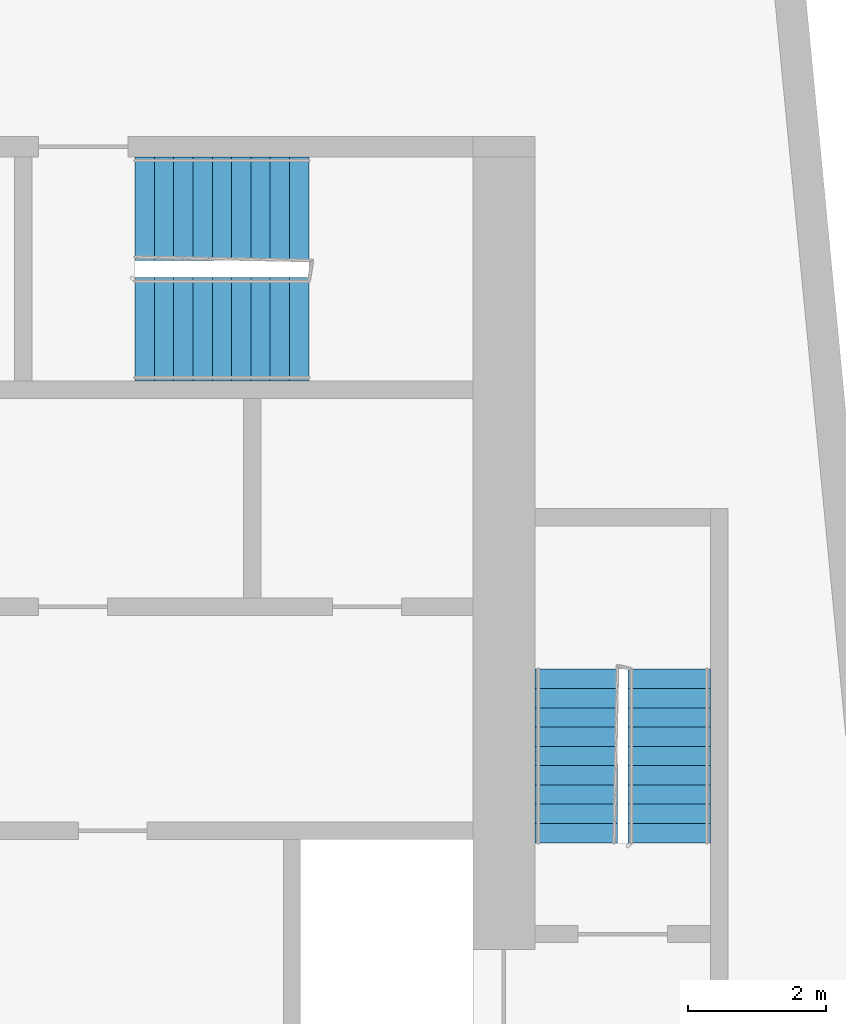
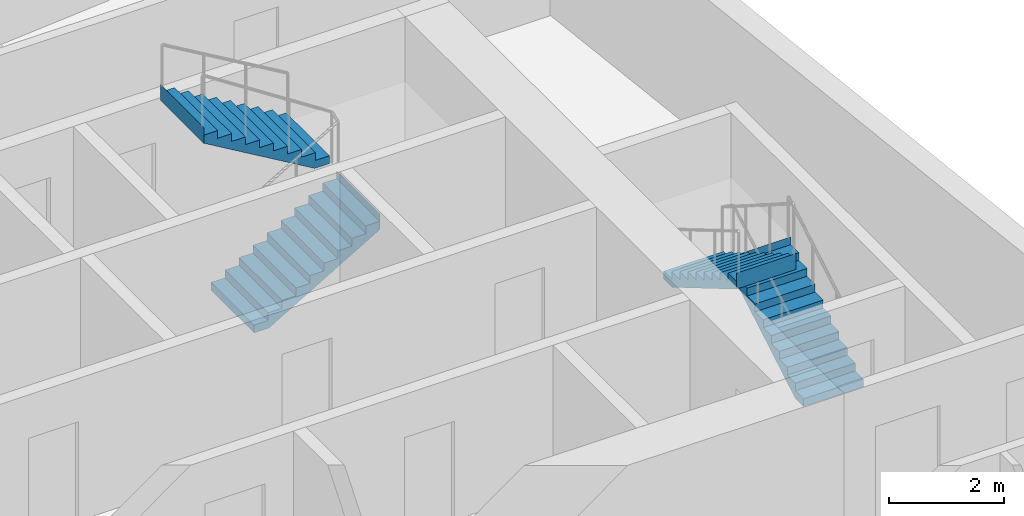
# One storey, part 10 of 11: 4 stair flights, 2 elements without a shape of their own.
"""IFC4 building model written with IfcOpenShell, lengths in metres."""

from ifc_helpers import new_model, si_unit, direction, frame, origin, place, context, subcontext, project, spatial, faceted_brep, material, type_object, element, aggregate, save


model = new_model("IFC4")

# Units and contexts
model_context = context("Model", 3, precision=1e-05, world=origin(), true_north=direction((0.0, 1.0)))
body_context = subcontext(model_context, "Body", "Model", "MODEL_VIEW")
ifc_project = project(units=[si_unit("LENGTHUNIT", "METRE"), si_unit("AREAUNIT", "SQUARE_METRE"), si_unit("VOLUMEUNIT", "CUBIC_METRE"), si_unit("PLANEANGLEUNIT", "RADIAN"), si_unit("MASSUNIT", "GRAM", prefix="KILO")], contexts=[model_context])

# Site, building, storey
site_placement = place(None, origin())
site = spatial("IfcSite", under=ifc_project, at=site_placement, CompositionType="ELEMENT")
building_placement = place(site_placement, origin())
building = spatial("IfcBuilding", under=site, at=building_placement, Name="Kajstack Hotel Tower", CompositionType="ELEMENT")
storey_placement = place(building_placement, frame((0.0, 0.0, 291.60009765625)))
storey = spatial("IfcBuildingStorey", under=building, at=storey_placement, Name="L73", CompositionType="ELEMENT", Elevation=291.60009765625)

# Stair, stair flights
ifc_material = material(Name="Concrete C40/50", Category="concrete")
stair_type_1 = type_object("IfcStairType", Name="Exit stair 1200", PredefinedType="HALF_TURN_STAIR", material=ifc_material)
stair_1_placement = place(storey_placement, origin())
stair_1 = element("IfcStair", 1, at=stair_1_placement, inside=storey, type_object=stair_type_1, Name="L73 stair E1", PredefinedType="HALF_TURN_STAIR")
stair_flight_type_1 = type_object("IfcStairFlightType", Name="Exit stair flight 1200", PredefinedType="STRAIGHT", material=ifc_material)
stair_flight_1_placement = place(storey_placement, frame((33.449951171875, 5.25, 0.0), z_axis=(0.0, 0.0, 1.0), x_axis=(0.0, 1.0, 0.0)))
stair_flight_1 = element("IfcStairFlight", 2, at=stair_flight_1_placement, type_object=stair_flight_type_1, Name="E1 flight 1", NumberOfRisers=10, NumberOfTreads=9, PredefinedType="STRAIGHT", RiserHeight=0.165, TreadLength=0.28, context=body_context, shape_type="Brep", body=[
    faceted_brep([(0.295654296875, -0.60009765625, 0.0), (2.5205078125, -0.60009765625, 1.31103515625), (2.5205078125, -0.60009765625, 1.64990234375), (2.52001953125, -0.60009765625, 1.64990234375), (2.52001953125, -0.60009765625, 1.485107421875), (2.239990234375, -0.60009765625, 1.485107421875), (2.239990234375, -0.60009765625, 1.320068359375), (1.9599609375, -0.60009765625, 1.320068359375), (1.9599609375, -0.60009765625, 1.155029296875), (1.679931640625, -0.60009765625, 1.155029296875), (1.679931640625, -0.60009765625, 0.989990234375), (1.39990234375, -0.60009765625, 0.989990234375), (1.39990234375, -0.60009765625, 0.824951171875), (1.1201171875, -0.60009765625, 0.824951171875), (1.1201171875, -0.60009765625, 0.659912109375), (0.840087890625, -0.60009765625, 0.659912109375), (0.840087890625, -0.60009765625, 0.4951171875), (0.56005859375, -0.60009765625, 0.4951171875), (0.56005859375, -0.60009765625, 0.330078125), (0.280029296875, -0.60009765625, 0.330078125), (0.280029296875, -0.60009765625, 0.1650390625), (-0.00048828125, -0.60009765625, 0.1650390625), (-0.00048828125, -0.60009765625, 0.0), (-0.00048828125, 0.60009765625, 0.0), (-0.00048828125, 0.60009765625, 0.1650390625), (0.280029296875, 0.60009765625, 0.1650390625), (0.280029296875, 0.60009765625, 0.330078125), (0.56005859375, 0.60009765625, 0.330078125), (0.56005859375, 0.60009765625, 0.4951171875), (0.840087890625, 0.60009765625, 0.4951171875), (0.840087890625, 0.60009765625, 0.659912109375), (1.1201171875, 0.60009765625, 0.659912109375), (1.1201171875, 0.60009765625, 0.824951171875), (1.39990234375, 0.60009765625, 0.824951171875), (1.39990234375, 0.60009765625, 0.989990234375), (1.679931640625, 0.60009765625, 0.989990234375), (1.679931640625, 0.60009765625, 1.155029296875), (1.9599609375, 0.60009765625, 1.155029296875), (1.9599609375, 0.60009765625, 1.320068359375), (2.239990234375, 0.60009765625, 1.320068359375), (2.239990234375, 0.60009765625, 1.485107421875), (2.52001953125, 0.60009765625, 1.485107421875), (2.52001953125, 0.60009765625, 1.64990234375), (2.5205078125, 0.60009765625, 1.64990234375), (2.5205078125, 0.60009765625, 1.31103515625), (0.295654296875, 0.60009765625, 0.0), (-0.00048828125, -0.300048828125, 0.1650390625), (-0.00048828125, 0.0, 0.1650390625), (-0.00048828125, 0.300048828125, 0.1650390625), (-0.00048828125, 0.300048828125, 0.0), (-0.00048828125, 0.0, 0.0), (-0.00048828125, -0.300048828125, 0.0), (0.280029296875, -0.300048828125, 0.1650390625), (0.280029296875, 0.0, 0.1650390625), (0.280029296875, 0.300048828125, 0.1650390625), (0.280029296875, -0.300048828125, 0.330078125), (0.280029296875, 0.0, 0.330078125), (0.280029296875, 0.300048828125, 0.330078125), (0.56005859375, -0.300048828125, 0.330078125), (0.56005859375, 0.0, 0.330078125), (0.56005859375, 0.300048828125, 0.330078125), (0.56005859375, -0.300048828125, 0.4951171875), (0.56005859375, 0.0, 0.4951171875), (0.56005859375, 0.300048828125, 0.4951171875), (0.840087890625, -0.300048828125, 0.4951171875), (0.840087890625, 0.0, 0.4951171875), (0.840087890625, 0.300048828125, 0.4951171875), (0.840087890625, -0.300048828125, 0.659912109375), (0.840087890625, 0.0, 0.659912109375), (0.840087890625, 0.300048828125, 0.659912109375), (1.1201171875, -0.300048828125, 0.659912109375), (1.1201171875, 0.0, 0.659912109375), (1.1201171875, 0.300048828125, 0.659912109375), (1.1201171875, -0.300048828125, 0.824951171875), (1.1201171875, 0.0, 0.824951171875), (1.1201171875, 0.300048828125, 0.824951171875), (1.39990234375, -0.300048828125, 0.824951171875), (1.39990234375, 0.0, 0.824951171875), (1.39990234375, 0.300048828125, 0.824951171875), (1.39990234375, -0.300048828125, 0.989990234375), (1.39990234375, 0.0, 0.989990234375), (1.39990234375, 0.300048828125, 0.989990234375), (1.679931640625, -0.300048828125, 0.989990234375), (1.679931640625, 0.0, 0.989990234375), (1.679931640625, 0.300048828125, 0.989990234375), (1.679931640625, -0.300048828125, 1.155029296875), (1.679931640625, 0.0, 1.155029296875), (1.679931640625, 0.300048828125, 1.155029296875), (1.9599609375, -0.300048828125, 1.155029296875), (1.9599609375, 0.0, 1.155029296875), (1.9599609375, 0.300048828125, 1.155029296875), (1.9599609375, -0.300048828125, 1.320068359375), (1.9599609375, 0.0, 1.320068359375), (1.9599609375, 0.300048828125, 1.320068359375), (2.239990234375, -0.300048828125, 1.320068359375), (2.239990234375, 0.0, 1.320068359375), (2.239990234375, 0.300048828125, 1.320068359375), (2.239990234375, -0.300048828125, 1.485107421875), (2.239990234375, 0.0, 1.485107421875), (2.239990234375, 0.300048828125, 1.485107421875), (2.52001953125, -0.300048828125, 1.485107421875), (2.52001953125, 0.0, 1.485107421875), (2.52001953125, 0.300048828125, 1.485107421875), (2.52001953125, -0.300048828125, 1.64990234375), (2.52001953125, 0.0, 1.64990234375), (2.52001953125, 0.300048828125, 1.64990234375), (2.5205078125, -0.300048828125, 1.64990234375), (2.5205078125, 0.0, 1.64990234375), (2.5205078125, 0.300048828125, 1.64990234375), (2.5205078125, -0.300048828125, 1.31103515625), (2.5205078125, 0.0, 1.31103515625), (2.5205078125, 0.300048828125, 1.31103515625), (0.295654296875, -0.300048828125, 0.0), (0.295654296875, 0.0, 0.0), (0.295654296875, 0.300048828125, 0.0)], [[[0, 1, 2, 3, 4, 5, 6, 7, 8, 9, 10, 11, 12, 13, 14, 15, 16, 17, 18, 19, 20, 21, 22]], [[23, 24, 25, 26, 27, 28, 29, 30, 31, 32, 33, 34, 35, 36, 37, 38, 39, 40, 41, 42, 43, 44, 45]], [[21, 46, 47, 48, 24, 23, 49, 50, 51, 22]], [[20, 52, 53, 54, 25, 24, 48, 47, 46, 21]], [[19, 55, 56, 57, 26, 25, 54, 53, 52, 20]], [[18, 58, 59, 60, 27, 26, 57, 56, 55, 19]], [[17, 61, 62, 63, 28, 27, 60, 59, 58, 18]], [[16, 64, 65, 66, 29, 28, 63, 62, 61, 17]], [[15, 67, 68, 69, 30, 29, 66, 65, 64, 16]], [[14, 70, 71, 72, 31, 30, 69, 68, 67, 15]], [[13, 73, 74, 75, 32, 31, 72, 71, 70, 14]], [[12, 76, 77, 78, 33, 32, 75, 74, 73, 13]], [[11, 79, 80, 81, 34, 33, 78, 77, 76, 12]], [[10, 82, 83, 84, 35, 34, 81, 80, 79, 11]], [[9, 85, 86, 87, 36, 35, 84, 83, 82, 10]], [[8, 88, 89, 90, 37, 36, 87, 86, 85, 9]], [[7, 91, 92, 93, 38, 37, 90, 89, 88, 8]], [[6, 94, 95, 96, 39, 38, 93, 92, 91, 7]], [[5, 97, 98, 99, 40, 39, 96, 95, 94, 6]], [[4, 100, 101, 102, 41, 40, 99, 98, 97, 5]], [[3, 103, 104, 105, 42, 41, 102, 101, 100, 4]], [[2, 106, 107, 108, 43, 42, 105, 104, 103, 3]], [[1, 109, 110, 111, 44, 43, 108, 107, 106, 2]], [[0, 112, 113, 114, 45, 44, 111, 110, 109, 1]], [[22, 51, 50, 49, 23, 45, 114, 113, 112, 0]]]),
])
stair_flight_2_placement = place(storey_placement, frame((32.10009765625, 7.77001953125, 1.64990234375), z_axis=(0.0, 0.0, 1.0), x_axis=(0.0, -1.0, 0.0)))
stair_flight_2 = element("IfcStairFlight", 3, at=stair_flight_2_placement, type_object=stair_flight_type_1, Name="E1 flight 2", NumberOfRisers=10, NumberOfTreads=9, PredefinedType="STRAIGHT", RiserHeight=0.165, TreadLength=0.28, context=body_context, shape_type="Brep", body=[
    faceted_brep([(0.295654296875, -0.60009765625, 0.0), (2.5205078125, -0.60009765625, 1.31103515625), (2.5205078125, -0.60009765625, 1.64990234375), (2.52001953125, -0.60009765625, 1.64990234375), (2.52001953125, -0.60009765625, 1.485107421875), (2.239990234375, -0.60009765625, 1.485107421875), (2.239990234375, -0.60009765625, 1.320068359375), (1.9599609375, -0.60009765625, 1.320068359375), (1.9599609375, -0.60009765625, 1.155029296875), (1.679931640625, -0.60009765625, 1.155029296875), (1.679931640625, -0.60009765625, 0.989990234375), (1.39990234375, -0.60009765625, 0.989990234375), (1.39990234375, -0.60009765625, 0.824951171875), (1.1201171875, -0.60009765625, 0.824951171875), (1.1201171875, -0.60009765625, 0.659912109375), (0.840087890625, -0.60009765625, 0.659912109375), (0.840087890625, -0.60009765625, 0.4951171875), (0.56005859375, -0.60009765625, 0.4951171875), (0.56005859375, -0.60009765625, 0.330078125), (0.280029296875, -0.60009765625, 0.330078125), (0.280029296875, -0.60009765625, 0.1650390625), (-0.00048828125, -0.60009765625, 0.1650390625), (-0.00048828125, -0.60009765625, 0.0), (-0.00048828125, 0.60009765625, 0.0), (-0.00048828125, 0.60009765625, 0.1650390625), (0.280029296875, 0.60009765625, 0.1650390625), (0.280029296875, 0.60009765625, 0.330078125), (0.56005859375, 0.60009765625, 0.330078125), (0.56005859375, 0.60009765625, 0.4951171875), (0.840087890625, 0.60009765625, 0.4951171875), (0.840087890625, 0.60009765625, 0.659912109375), (1.1201171875, 0.60009765625, 0.659912109375), (1.1201171875, 0.60009765625, 0.824951171875), (1.39990234375, 0.60009765625, 0.824951171875), (1.39990234375, 0.60009765625, 0.989990234375), (1.679931640625, 0.60009765625, 0.989990234375), (1.679931640625, 0.60009765625, 1.155029296875), (1.9599609375, 0.60009765625, 1.155029296875), (1.9599609375, 0.60009765625, 1.320068359375), (2.239990234375, 0.60009765625, 1.320068359375), (2.239990234375, 0.60009765625, 1.485107421875), (2.52001953125, 0.60009765625, 1.485107421875), (2.52001953125, 0.60009765625, 1.64990234375), (2.5205078125, 0.60009765625, 1.64990234375), (2.5205078125, 0.60009765625, 1.31103515625), (0.295654296875, 0.60009765625, 0.0), (-0.00048828125, -0.300048828125, 0.1650390625), (-0.00048828125, 0.0, 0.1650390625), (-0.00048828125, 0.300048828125, 0.1650390625), (-0.00048828125, 0.300048828125, 0.0), (-0.00048828125, 0.0, 0.0), (-0.00048828125, -0.300048828125, 0.0), (0.280029296875, -0.300048828125, 0.1650390625), (0.280029296875, 0.0, 0.1650390625), (0.280029296875, 0.300048828125, 0.1650390625), (0.280029296875, -0.300048828125, 0.330078125), (0.280029296875, 0.0, 0.330078125), (0.280029296875, 0.300048828125, 0.330078125), (0.56005859375, -0.300048828125, 0.330078125), (0.56005859375, 0.0, 0.330078125), (0.56005859375, 0.300048828125, 0.330078125), (0.56005859375, -0.300048828125, 0.4951171875), (0.56005859375, 0.0, 0.4951171875), (0.56005859375, 0.300048828125, 0.4951171875), (0.840087890625, -0.300048828125, 0.4951171875), (0.840087890625, 0.0, 0.4951171875), (0.840087890625, 0.300048828125, 0.4951171875), (0.840087890625, -0.300048828125, 0.659912109375), (0.840087890625, 0.0, 0.659912109375), (0.840087890625, 0.300048828125, 0.659912109375), (1.1201171875, -0.300048828125, 0.659912109375), (1.1201171875, 0.0, 0.659912109375), (1.1201171875, 0.300048828125, 0.659912109375), (1.1201171875, -0.300048828125, 0.824951171875), (1.1201171875, 0.0, 0.824951171875), (1.1201171875, 0.300048828125, 0.824951171875), (1.39990234375, -0.300048828125, 0.824951171875), (1.39990234375, 0.0, 0.824951171875), (1.39990234375, 0.300048828125, 0.824951171875), (1.39990234375, -0.300048828125, 0.989990234375), (1.39990234375, 0.0, 0.989990234375), (1.39990234375, 0.300048828125, 0.989990234375), (1.679931640625, -0.300048828125, 0.989990234375), (1.679931640625, 0.0, 0.989990234375), (1.679931640625, 0.300048828125, 0.989990234375), (1.679931640625, -0.300048828125, 1.155029296875), (1.679931640625, 0.0, 1.155029296875), (1.679931640625, 0.300048828125, 1.155029296875), (1.9599609375, -0.300048828125, 1.155029296875), (1.9599609375, 0.0, 1.155029296875), (1.9599609375, 0.300048828125, 1.155029296875), (1.9599609375, -0.300048828125, 1.320068359375), (1.9599609375, 0.0, 1.320068359375), (1.9599609375, 0.300048828125, 1.320068359375), (2.239990234375, -0.300048828125, 1.320068359375), (2.239990234375, 0.0, 1.320068359375), (2.239990234375, 0.300048828125, 1.320068359375), (2.239990234375, -0.300048828125, 1.485107421875), (2.239990234375, 0.0, 1.485107421875), (2.239990234375, 0.300048828125, 1.485107421875), (2.52001953125, -0.300048828125, 1.485107421875), (2.52001953125, 0.0, 1.485107421875), (2.52001953125, 0.300048828125, 1.485107421875), (2.52001953125, -0.300048828125, 1.64990234375), (2.52001953125, 0.0, 1.64990234375), (2.52001953125, 0.300048828125, 1.64990234375), (2.5205078125, -0.300048828125, 1.64990234375), (2.5205078125, 0.0, 1.64990234375), (2.5205078125, 0.300048828125, 1.64990234375), (2.5205078125, -0.300048828125, 1.31103515625), (2.5205078125, 0.0, 1.31103515625), (2.5205078125, 0.300048828125, 1.31103515625), (0.295654296875, -0.300048828125, 0.0), (0.295654296875, 0.0, 0.0), (0.295654296875, 0.300048828125, 0.0)], [[[0, 1, 2, 3, 4, 5, 6, 7, 8, 9, 10, 11, 12, 13, 14, 15, 16, 17, 18, 19, 20, 21, 22]], [[23, 24, 25, 26, 27, 28, 29, 30, 31, 32, 33, 34, 35, 36, 37, 38, 39, 40, 41, 42, 43, 44, 45]], [[21, 46, 47, 48, 24, 23, 49, 50, 51, 22]], [[20, 52, 53, 54, 25, 24, 48, 47, 46, 21]], [[19, 55, 56, 57, 26, 25, 54, 53, 52, 20]], [[18, 58, 59, 60, 27, 26, 57, 56, 55, 19]], [[17, 61, 62, 63, 28, 27, 60, 59, 58, 18]], [[16, 64, 65, 66, 29, 28, 63, 62, 61, 17]], [[15, 67, 68, 69, 30, 29, 66, 65, 64, 16]], [[14, 70, 71, 72, 31, 30, 69, 68, 67, 15]], [[13, 73, 74, 75, 32, 31, 72, 71, 70, 14]], [[12, 76, 77, 78, 33, 32, 75, 74, 73, 13]], [[11, 79, 80, 81, 34, 33, 78, 77, 76, 12]], [[10, 82, 83, 84, 35, 34, 81, 80, 79, 11]], [[9, 85, 86, 87, 36, 35, 84, 83, 82, 10]], [[8, 88, 89, 90, 37, 36, 87, 86, 85, 9]], [[7, 91, 92, 93, 38, 37, 90, 89, 88, 8]], [[6, 94, 95, 96, 39, 38, 93, 92, 91, 7]], [[5, 97, 98, 99, 40, 39, 96, 95, 94, 6]], [[4, 100, 101, 102, 41, 40, 99, 98, 97, 5]], [[3, 103, 104, 105, 42, 41, 102, 101, 100, 4]], [[2, 106, 107, 108, 43, 42, 105, 104, 103, 3]], [[1, 109, 110, 111, 44, 43, 108, 107, 106, 2]], [[0, 112, 113, 114, 45, 44, 111, 110, 109, 1]], [[22, 51, 50, 49, 23, 45, 114, 113, 112, 0]]]),
])
aggregate(stair_1, [stair_flight_1, stair_flight_2])

stair_type_2 = type_object("IfcStairType", Name="Exit stair 1500", PredefinedType="HALF_TURN_STAIR", material=ifc_material)
stair_2_placement = place(storey_placement, origin())
stair_2 = element("IfcStair", 4, at=stair_2_placement, inside=storey, type_object=stair_type_2, Name="L73 stair E3", PredefinedType="HALF_TURN_STAIR")
stair_flight_type_2 = type_object("IfcStairFlightType", Name="Exit stair flight 1500", PredefinedType="STRAIGHT", material=ifc_material)
stair_flight_3_placement = place(storey_placement, frame((25.699951171875, 12.699951171875, 0.0), z_axis=(0.0, 0.0, 1.0), x_axis=(1.0, 0.0, 0.0)))
stair_flight_3 = element("IfcStairFlight", 5, at=stair_flight_3_placement, type_object=stair_flight_type_2, Name="E3 flight 1", NumberOfRisers=10, NumberOfTreads=9, PredefinedType="STRAIGHT", RiserHeight=0.165, TreadLength=0.28, context=body_context, shape_type="Brep", body=[
    faceted_brep([(0.295654296875, -0.75, 0.0), (2.5205078125, -0.75, 1.31103515625), (2.5205078125, -0.75, 1.64990234375), (2.52001953125, -0.75, 1.64990234375), (2.52001953125, -0.75, 1.485107421875), (2.239990234375, -0.75, 1.485107421875), (2.239990234375, -0.75, 1.320068359375), (1.9599609375, -0.75, 1.320068359375), (1.9599609375, -0.75, 1.155029296875), (1.679931640625, -0.75, 1.155029296875), (1.679931640625, -0.75, 0.989990234375), (1.39990234375, -0.75, 0.989990234375), (1.39990234375, -0.75, 0.824951171875), (1.1201171875, -0.75, 0.824951171875), (1.1201171875, -0.75, 0.659912109375), (0.840087890625, -0.75, 0.659912109375), (0.840087890625, -0.75, 0.4951171875), (0.56005859375, -0.75, 0.4951171875), (0.56005859375, -0.75, 0.330078125), (0.280029296875, -0.75, 0.330078125), (0.280029296875, -0.75, 0.1650390625), (-0.00048828125, -0.75, 0.1650390625), (-0.00048828125, -0.75, 0.0), (-0.00048828125, 0.75, 0.0), (-0.00048828125, 0.75, 0.1650390625), (0.280029296875, 0.75, 0.1650390625), (0.280029296875, 0.75, 0.330078125), (0.56005859375, 0.75, 0.330078125), (0.56005859375, 0.75, 0.4951171875), (0.840087890625, 0.75, 0.4951171875), (0.840087890625, 0.75, 0.659912109375), (1.1201171875, 0.75, 0.659912109375), (1.1201171875, 0.75, 0.824951171875), (1.39990234375, 0.75, 0.824951171875), (1.39990234375, 0.75, 0.989990234375), (1.679931640625, 0.75, 0.989990234375), (1.679931640625, 0.75, 1.155029296875), (1.9599609375, 0.75, 1.155029296875), (1.9599609375, 0.75, 1.320068359375), (2.239990234375, 0.75, 1.320068359375), (2.239990234375, 0.75, 1.485107421875), (2.52001953125, 0.75, 1.485107421875), (2.52001953125, 0.75, 1.64990234375), (2.5205078125, 0.75, 1.64990234375), (2.5205078125, 0.75, 1.31103515625), (0.295654296875, 0.75, 0.0), (-0.00048828125, -0.375, 0.1650390625), (-0.00048828125, 0.0, 0.1650390625), (-0.00048828125, 0.375, 0.1650390625), (-0.00048828125, 0.375, 0.0), (-0.00048828125, 0.0, 0.0), (-0.00048828125, -0.375, 0.0), (0.280029296875, -0.375, 0.1650390625), (0.280029296875, 0.0, 0.1650390625), (0.280029296875, 0.375, 0.1650390625), (0.280029296875, -0.375, 0.330078125), (0.280029296875, 0.0, 0.330078125), (0.280029296875, 0.375, 0.330078125), (0.56005859375, -0.375, 0.330078125), (0.56005859375, 0.0, 0.330078125), (0.56005859375, 0.375, 0.330078125), (0.56005859375, -0.375, 0.4951171875), (0.56005859375, 0.0, 0.4951171875), (0.56005859375, 0.375, 0.4951171875), (0.840087890625, -0.375, 0.4951171875), (0.840087890625, 0.0, 0.4951171875), (0.840087890625, 0.375, 0.4951171875), (0.840087890625, -0.375, 0.659912109375), (0.840087890625, 0.0, 0.659912109375), (0.840087890625, 0.375, 0.659912109375), (1.1201171875, -0.375, 0.659912109375), (1.1201171875, 0.0, 0.659912109375), (1.1201171875, 0.375, 0.659912109375), (1.1201171875, -0.375, 0.824951171875), (1.1201171875, 0.0, 0.824951171875), (1.1201171875, 0.375, 0.824951171875), (1.39990234375, -0.375, 0.824951171875), (1.39990234375, 0.0, 0.824951171875), (1.39990234375, 0.375, 0.824951171875), (1.39990234375, -0.375, 0.989990234375), (1.39990234375, 0.0, 0.989990234375), (1.39990234375, 0.375, 0.989990234375), (1.679931640625, -0.375, 0.989990234375), (1.679931640625, 0.0, 0.989990234375), (1.679931640625, 0.375, 0.989990234375), (1.679931640625, -0.375, 1.155029296875), (1.679931640625, 0.0, 1.155029296875), (1.679931640625, 0.375, 1.155029296875), (1.9599609375, -0.375, 1.155029296875), (1.9599609375, 0.0, 1.155029296875), (1.9599609375, 0.375, 1.155029296875), (1.9599609375, -0.375, 1.320068359375), (1.9599609375, 0.0, 1.320068359375), (1.9599609375, 0.375, 1.320068359375), (2.239990234375, -0.375, 1.320068359375), (2.239990234375, 0.0, 1.320068359375), (2.239990234375, 0.375, 1.320068359375), (2.239990234375, -0.375, 1.485107421875), (2.239990234375, 0.0, 1.485107421875), (2.239990234375, 0.375, 1.485107421875), (2.52001953125, -0.375, 1.485107421875), (2.52001953125, 0.0, 1.485107421875), (2.52001953125, 0.375, 1.485107421875), (2.52001953125, -0.375, 1.64990234375), (2.52001953125, 0.0, 1.64990234375), (2.52001953125, 0.375, 1.64990234375), (2.5205078125, -0.375, 1.64990234375), (2.5205078125, 0.0, 1.64990234375), (2.5205078125, 0.375, 1.64990234375), (2.5205078125, -0.375, 1.31103515625), (2.5205078125, 0.0, 1.31103515625), (2.5205078125, 0.375, 1.31103515625), (0.295654296875, -0.375, 0.0), (0.295654296875, 0.0, 0.0), (0.295654296875, 0.375, 0.0)], [[[0, 1, 2, 3, 4, 5, 6, 7, 8, 9, 10, 11, 12, 13, 14, 15, 16, 17, 18, 19, 20, 21, 22]], [[23, 24, 25, 26, 27, 28, 29, 30, 31, 32, 33, 34, 35, 36, 37, 38, 39, 40, 41, 42, 43, 44, 45]], [[21, 46, 47, 48, 24, 23, 49, 50, 51, 22]], [[20, 52, 53, 54, 25, 24, 48, 47, 46, 21]], [[19, 55, 56, 57, 26, 25, 54, 53, 52, 20]], [[18, 58, 59, 60, 27, 26, 57, 56, 55, 19]], [[17, 61, 62, 63, 28, 27, 60, 59, 58, 18]], [[16, 64, 65, 66, 29, 28, 63, 62, 61, 17]], [[15, 67, 68, 69, 30, 29, 66, 65, 64, 16]], [[14, 70, 71, 72, 31, 30, 69, 68, 67, 15]], [[13, 73, 74, 75, 32, 31, 72, 71, 70, 14]], [[12, 76, 77, 78, 33, 32, 75, 74, 73, 13]], [[11, 79, 80, 81, 34, 33, 78, 77, 76, 12]], [[10, 82, 83, 84, 35, 34, 81, 80, 79, 11]], [[9, 85, 86, 87, 36, 35, 84, 83, 82, 10]], [[8, 88, 89, 90, 37, 36, 87, 86, 85, 9]], [[7, 91, 92, 93, 38, 37, 90, 89, 88, 8]], [[6, 94, 95, 96, 39, 38, 93, 92, 91, 7]], [[5, 97, 98, 99, 40, 39, 96, 95, 94, 6]], [[4, 100, 101, 102, 41, 40, 99, 98, 97, 5]], [[3, 103, 104, 105, 42, 41, 102, 101, 100, 4]], [[2, 106, 107, 108, 43, 42, 105, 104, 103, 3]], [[1, 109, 110, 111, 44, 43, 108, 107, 106, 2]], [[0, 112, 113, 114, 45, 44, 111, 110, 109, 1]], [[22, 51, 50, 49, 23, 45, 114, 113, 112, 0]]]),
])
stair_flight_4_placement = place(storey_placement, frame((28.219970703125, 14.449951171875, 1.64990234375), z_axis=(0.0, 0.0, 1.0), x_axis=(-1.0, 0.0, 0.0)))
stair_flight_4 = element("IfcStairFlight", 6, at=stair_flight_4_placement, type_object=stair_flight_type_2, Name="E3 flight 2", NumberOfRisers=10, NumberOfTreads=9, PredefinedType="STRAIGHT", RiserHeight=0.165, TreadLength=0.28, context=body_context, shape_type="Brep", body=[
    faceted_brep([(0.295654296875, -0.75, 0.0), (2.5205078125, -0.75, 1.31103515625), (2.5205078125, -0.75, 1.64990234375), (2.52001953125, -0.75, 1.64990234375), (2.52001953125, -0.75, 1.485107421875), (2.239990234375, -0.75, 1.485107421875), (2.239990234375, -0.75, 1.320068359375), (1.9599609375, -0.75, 1.320068359375), (1.9599609375, -0.75, 1.155029296875), (1.679931640625, -0.75, 1.155029296875), (1.679931640625, -0.75, 0.989990234375), (1.39990234375, -0.75, 0.989990234375), (1.39990234375, -0.75, 0.824951171875), (1.1201171875, -0.75, 0.824951171875), (1.1201171875, -0.75, 0.659912109375), (0.840087890625, -0.75, 0.659912109375), (0.840087890625, -0.75, 0.4951171875), (0.56005859375, -0.75, 0.4951171875), (0.56005859375, -0.75, 0.330078125), (0.280029296875, -0.75, 0.330078125), (0.280029296875, -0.75, 0.1650390625), (-0.00048828125, -0.75, 0.1650390625), (-0.00048828125, -0.75, 0.0), (-0.00048828125, 0.75, 0.0), (-0.00048828125, 0.75, 0.1650390625), (0.280029296875, 0.75, 0.1650390625), (0.280029296875, 0.75, 0.330078125), (0.56005859375, 0.75, 0.330078125), (0.56005859375, 0.75, 0.4951171875), (0.840087890625, 0.75, 0.4951171875), (0.840087890625, 0.75, 0.659912109375), (1.1201171875, 0.75, 0.659912109375), (1.1201171875, 0.75, 0.824951171875), (1.39990234375, 0.75, 0.824951171875), (1.39990234375, 0.75, 0.989990234375), (1.679931640625, 0.75, 0.989990234375), (1.679931640625, 0.75, 1.155029296875), (1.9599609375, 0.75, 1.155029296875), (1.9599609375, 0.75, 1.320068359375), (2.239990234375, 0.75, 1.320068359375), (2.239990234375, 0.75, 1.485107421875), (2.52001953125, 0.75, 1.485107421875), (2.52001953125, 0.75, 1.64990234375), (2.5205078125, 0.75, 1.64990234375), (2.5205078125, 0.75, 1.31103515625), (0.295654296875, 0.75, 0.0), (-0.00048828125, -0.375, 0.1650390625), (-0.00048828125, 0.0, 0.1650390625), (-0.00048828125, 0.375, 0.1650390625), (-0.00048828125, 0.375, 0.0), (-0.00048828125, 0.0, 0.0), (-0.00048828125, -0.375, 0.0), (0.280029296875, -0.375, 0.1650390625), (0.280029296875, 0.0, 0.1650390625), (0.280029296875, 0.375, 0.1650390625), (0.280029296875, -0.375, 0.330078125), (0.280029296875, 0.0, 0.330078125), (0.280029296875, 0.375, 0.330078125), (0.56005859375, -0.375, 0.330078125), (0.56005859375, 0.0, 0.330078125), (0.56005859375, 0.375, 0.330078125), (0.56005859375, -0.375, 0.4951171875), (0.56005859375, 0.0, 0.4951171875), (0.56005859375, 0.375, 0.4951171875), (0.840087890625, -0.375, 0.4951171875), (0.840087890625, 0.0, 0.4951171875), (0.840087890625, 0.375, 0.4951171875), (0.840087890625, -0.375, 0.659912109375), (0.840087890625, 0.0, 0.659912109375), (0.840087890625, 0.375, 0.659912109375), (1.1201171875, -0.375, 0.659912109375), (1.1201171875, 0.0, 0.659912109375), (1.1201171875, 0.375, 0.659912109375), (1.1201171875, -0.375, 0.824951171875), (1.1201171875, 0.0, 0.824951171875), (1.1201171875, 0.375, 0.824951171875), (1.39990234375, -0.375, 0.824951171875), (1.39990234375, 0.0, 0.824951171875), (1.39990234375, 0.375, 0.824951171875), (1.39990234375, -0.375, 0.989990234375), (1.39990234375, 0.0, 0.989990234375), (1.39990234375, 0.375, 0.989990234375), (1.679931640625, -0.375, 0.989990234375), (1.679931640625, 0.0, 0.989990234375), (1.679931640625, 0.375, 0.989990234375), (1.679931640625, -0.375, 1.155029296875), (1.679931640625, 0.0, 1.155029296875), (1.679931640625, 0.375, 1.155029296875), (1.9599609375, -0.375, 1.155029296875), (1.9599609375, 0.0, 1.155029296875), (1.9599609375, 0.375, 1.155029296875), (1.9599609375, -0.375, 1.320068359375), (1.9599609375, 0.0, 1.320068359375), (1.9599609375, 0.375, 1.320068359375), (2.239990234375, -0.375, 1.320068359375), (2.239990234375, 0.0, 1.320068359375), (2.239990234375, 0.375, 1.320068359375), (2.239990234375, -0.375, 1.485107421875), (2.239990234375, 0.0, 1.485107421875), (2.239990234375, 0.375, 1.485107421875), (2.52001953125, -0.375, 1.485107421875), (2.52001953125, 0.0, 1.485107421875), (2.52001953125, 0.375, 1.485107421875), (2.52001953125, -0.375, 1.64990234375), (2.52001953125, 0.0, 1.64990234375), (2.52001953125, 0.375, 1.64990234375), (2.5205078125, -0.375, 1.64990234375), (2.5205078125, 0.0, 1.64990234375), (2.5205078125, 0.375, 1.64990234375), (2.5205078125, -0.375, 1.31103515625), (2.5205078125, 0.0, 1.31103515625), (2.5205078125, 0.375, 1.31103515625), (0.295654296875, -0.375, 0.0), (0.295654296875, 0.0, 0.0), (0.295654296875, 0.375, 0.0)], [[[0, 1, 2, 3, 4, 5, 6, 7, 8, 9, 10, 11, 12, 13, 14, 15, 16, 17, 18, 19, 20, 21, 22]], [[23, 24, 25, 26, 27, 28, 29, 30, 31, 32, 33, 34, 35, 36, 37, 38, 39, 40, 41, 42, 43, 44, 45]], [[21, 46, 47, 48, 24, 23, 49, 50, 51, 22]], [[20, 52, 53, 54, 25, 24, 48, 47, 46, 21]], [[19, 55, 56, 57, 26, 25, 54, 53, 52, 20]], [[18, 58, 59, 60, 27, 26, 57, 56, 55, 19]], [[17, 61, 62, 63, 28, 27, 60, 59, 58, 18]], [[16, 64, 65, 66, 29, 28, 63, 62, 61, 17]], [[15, 67, 68, 69, 30, 29, 66, 65, 64, 16]], [[14, 70, 71, 72, 31, 30, 69, 68, 67, 15]], [[13, 73, 74, 75, 32, 31, 72, 71, 70, 14]], [[12, 76, 77, 78, 33, 32, 75, 74, 73, 13]], [[11, 79, 80, 81, 34, 33, 78, 77, 76, 12]], [[10, 82, 83, 84, 35, 34, 81, 80, 79, 11]], [[9, 85, 86, 87, 36, 35, 84, 83, 82, 10]], [[8, 88, 89, 90, 37, 36, 87, 86, 85, 9]], [[7, 91, 92, 93, 38, 37, 90, 89, 88, 8]], [[6, 94, 95, 96, 39, 38, 93, 92, 91, 7]], [[5, 97, 98, 99, 40, 39, 96, 95, 94, 6]], [[4, 100, 101, 102, 41, 40, 99, 98, 97, 5]], [[3, 103, 104, 105, 42, 41, 102, 101, 100, 4]], [[2, 106, 107, 108, 43, 42, 105, 104, 103, 3]], [[1, 109, 110, 111, 44, 43, 108, 107, 106, 2]], [[0, 112, 113, 114, 45, 44, 111, 110, 109, 1]], [[22, 51, 50, 49, 23, 45, 114, 113, 112, 0]]]),
])
aggregate(stair_2, [stair_flight_3, stair_flight_4])

save(model, "model.ifc")
